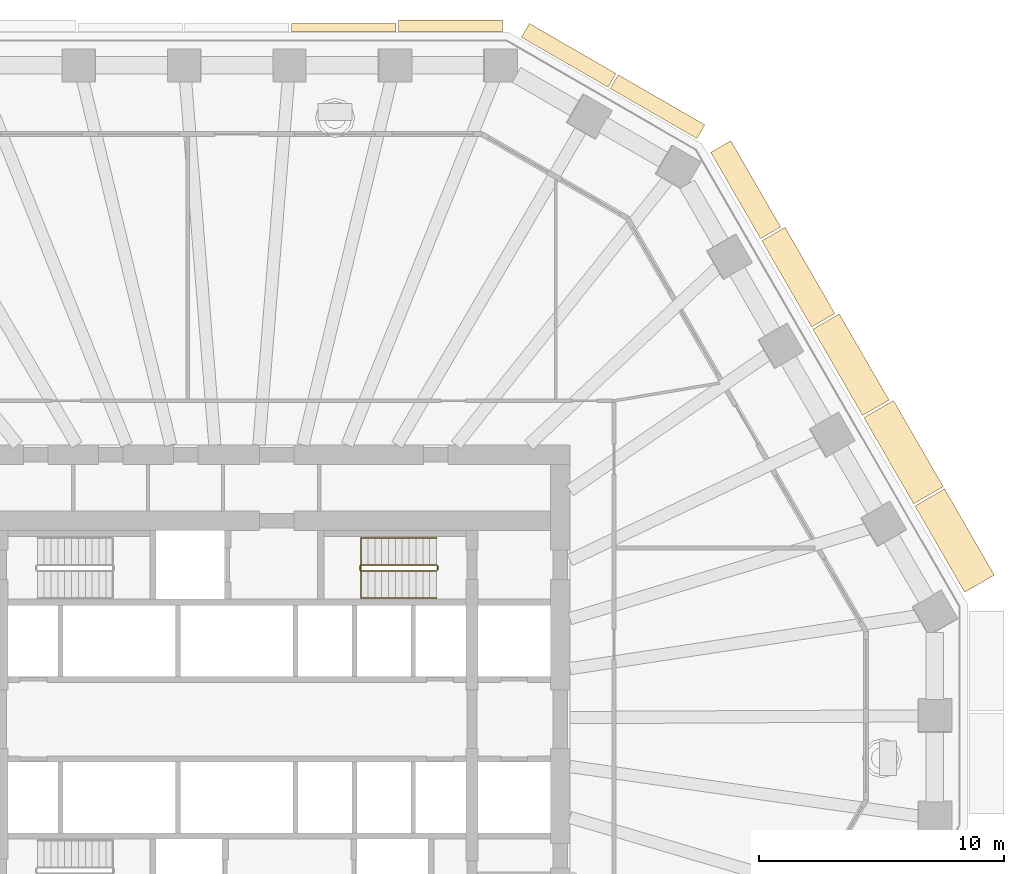
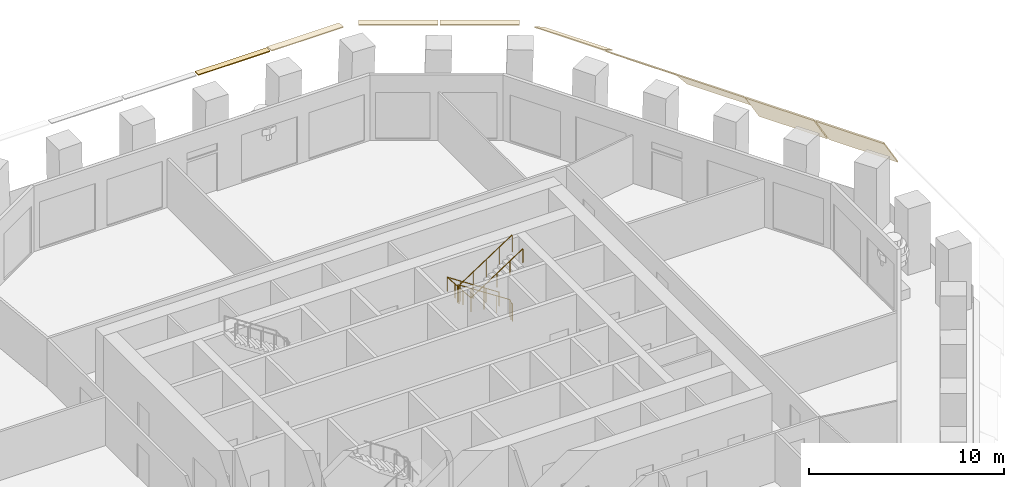
# One storey, part 10 of 12: 9 coverings, 2 railings.
"""IFC4 building model written with IfcOpenShell, lengths in metres."""

import ifcopenshell
import ifcopenshell.guid

model = None  # the IFC model being written
_history = None  # IfcOwnerHistory: only IFC2X3 demands one
_inside = {}  # id of a spatial element -> (the spatial element, [elements in it])
_under = {}  # id of a project, library or spatial element -> (it, [spatial elements below it])
_declared = {}  # id of a project -> (the project, [libraries it declares])
_typed = {}  # id of a type object -> (the type object, [elements of that type])
_made_of = {}  # id of a material, layer set ... -> (it, [elements and type objects made of it])


def new_model(schema):
    """Start an empty IFC model of exactly this schema.

    Asked for "IFC4X3", IfcOpenShell would pick the latest addendum, in which some entities
    have other attributes; the version numbers below select the first issue.
    IFC2X3 requires an IfcOwnerHistory on every rooted entity: one is made here for all.
    """
    global model, _history
    if schema == "IFC4X3":
        model = ifcopenshell.file(schema_version=(4, 3, 0, 0))
    else:
        model = ifcopenshell.file(schema=schema)
    _inside.clear()
    _under.clear()
    _declared.clear()
    _typed.clear()
    _made_of.clear()
    _history = None
    if model.schema == "IFC2X3":
        org = make("IfcOrganization", Name="unknown")
        user = make(
            "IfcPersonAndOrganization",
            ThePerson=make("IfcPerson", FamilyName="unknown"),
            TheOrganization=org,
        )
        app = make(
            "IfcApplication",
            ApplicationDeveloper=org,
            Version="unknown",
            ApplicationFullName="unknown",
            ApplicationIdentifier="unknown",
        )
        _history = make(
            "IfcOwnerHistory",
            OwningUser=user,
            OwningApplication=app,
            ChangeAction="ADDED",
            CreationDate=0,
        )
    return model


def make(cls, **values):
    """One entity of the class cls with the attributes given. An attribute that is None is left unset."""
    return model.create_entity(
        cls, **{name: value for name, value in values.items() if value is not None}
    )


def rooted(cls, **values):
    """An entity with a GlobalId (a new one), such as an element, a storey or a relation."""
    return make(cls, GlobalId=ifcopenshell.guid.new(), OwnerHistory=_history, **values)


def si_unit(unit_type, name, prefix=None):
    """IfcSIUnit, for example si_unit("LENGTHUNIT", "METRE", prefix="MILLI")."""
    return make("IfcSIUnit", UnitType=unit_type, Prefix=prefix, Name=name)


def assignment(units):
    """IfcUnitAssignment: the units of a project."""
    return None if units is None else make("IfcUnitAssignment", Units=units)


def point(xyz):
    """IfcCartesianPoint."""
    return None if xyz is None else make("IfcCartesianPoint", Coordinates=xyz)


def direction(xyz):
    """IfcDirection."""
    return None if xyz is None else make("IfcDirection", DirectionRatios=xyz)


def frame(location, z_axis=None, x_axis=None):
    """IfcAxis2Placement3D, a coordinate frame: its origin and axes. An axis left out is left unset."""
    return make(
        "IfcAxis2Placement3D",
        Location=point(location),
        Axis=direction(z_axis),
        RefDirection=direction(x_axis),
    )


def frame_2d(location, x_axis=None):
    """IfcAxis2Placement2D, a coordinate frame in the plane: its origin and x axis."""
    return make(
        "IfcAxis2Placement2D", Location=point(location), RefDirection=direction(x_axis)
    )


def origin():
    """The frame at (0, 0, 0) with its axes left unset."""
    return frame((0.0, 0.0, 0.0))


def origin_2d():
    """The frame at (0, 0) in the plane with its x axis left unset."""
    return frame_2d((0.0, 0.0))


def place(relative_to, where):
    """IfcLocalPlacement: puts the frame where relative to a parent placement (None: the world)."""
    return make(
        "IfcLocalPlacement", PlacementRelTo=relative_to, RelativePlacement=where
    )


def context(
    kind, dimensions, precision=None, world=None, true_north=None, identifier=None
):
    """IfcGeometricRepresentationContext, for example the 3D "Model" context."""
    return make(
        "IfcGeometricRepresentationContext",
        ContextIdentifier=identifier,
        ContextType=kind,
        CoordinateSpaceDimension=dimensions,
        Precision=precision,
        WorldCoordinateSystem=world,
        TrueNorth=true_north,
    )


def subcontext(parent, identifier, kind, view, scale=None):
    """IfcGeometricRepresentationSubContext, for example "Body" below "Model"."""
    return make(
        "IfcGeometricRepresentationSubContext",
        ContextIdentifier=identifier,
        ContextType=kind,
        ParentContext=parent,
        TargetScale=scale,
        TargetView=view,
    )


def project(units=None, contexts=None):
    """IfcProject with its units and contexts."""
    return rooted(
        "IfcProject",
        Name="project",
        RepresentationContexts=contexts,
        UnitsInContext=assignment(units),
    )


def spatial(cls, under=None, at=None, **own):
    """A site, building, storey or space (cls), placed at a placement, below another one or the project."""
    s = rooted(cls, ObjectPlacement=at, **own)
    if under is not None:
        _under.setdefault(under.id(), (under, []))[1].append(s)
    return s


def polyline(points):
    """IfcPolyline through the points."""
    return make("IfcPolyline", Points=[point(p) for p in points])


def profile(cls, at=None, kind="AREA", **sizes):
    """A parametric profile (cls). Its sizes go by their IFC names, for example OverallWidth=200.0."""
    return make(cls, ProfileType=kind, Position=at, **sizes)


def circle(**sizes):
    """IfcCircleProfileDef."""
    return profile("IfcCircleProfileDef", **sizes)


def outline(outer, holes=None, kind="AREA"):
    """IfcArbitraryClosedProfileDef: a profile drawn as a closed curve; with holes, ...WithVoids."""
    if holes is None:
        return make("IfcArbitraryClosedProfileDef", ProfileType=kind, OuterCurve=outer)
    return make(
        "IfcArbitraryProfileDefWithVoids",
        ProfileType=kind,
        OuterCurve=outer,
        InnerCurves=holes,
    )


def extrude(swept, where, along, depth):
    """IfcExtrudedAreaSolid: the profile swept, set in the frame where, extruded along a direction by depth."""
    return make(
        "IfcExtrudedAreaSolid",
        SweptArea=swept,
        Position=where,
        ExtrudedDirection=direction(along),
        Depth=depth,
    )


def shape(context_of_items, identifier, shape_type, items):
    """IfcShapeRepresentation: the items that make up one representation, for example the "Body"."""
    return make(
        "IfcShapeRepresentation",
        ContextOfItems=context_of_items,
        RepresentationIdentifier=identifier,
        RepresentationType=shape_type,
        Items=items,
    )


def material(Name=None, Category=None):
    """IfcMaterial."""
    return make("IfcMaterial", Name=Name, Category=Category)


def layer(
    of_material, thickness, ventilated=None, Name=None, Category=None, Priority=None
):
    """IfcMaterialLayer: one layer of a wall or slab, of a material (None: an air gap)."""
    return make(
        "IfcMaterialLayer",
        Material=of_material,
        LayerThickness=thickness,
        IsVentilated=ventilated,
        Name=Name,
        Category=Category,
        Priority=Priority,
    )


def layer_set(layers, Name=None):
    """IfcMaterialLayerSet."""
    return make("IfcMaterialLayerSet", MaterialLayers=layers, LayerSetName=Name)


def made_of(thing, what):
    """Note that an element or type object is made of a material, layer set ...; save() writes the relation."""
    if what is not None:
        _made_of.setdefault(what.id(), (what, []))[1].append(thing)
    return thing


def type_object(cls, material=None, **own):
    """A type object (cls), such as IfcWallType, which elements share."""
    return made_of(rooted(cls, **own), material)


def element(
    cls,
    number,
    at=None,
    inside=None,
    cuts=None,
    type_object=None,
    material=None,
    context=None,
    identifier="Body",
    shape_type=None,
    held_by="IfcProductDefinitionShape",
    body=None,
    shapes=None,
    **own,
):
    """One element of the class cls, such as IfcWall. Its Tag is "e" and its number.

    at: its placement. inside: the storey or other place that contains it. cuts: it is an
    opening in that element (IfcRelVoidsElement). A single representation is given by context,
    identifier, shape_type and body (its items); several are given by shapes. held_by: the class
    of the entity that holds the representations. save() writes the other relations.
    """
    e = rooted(cls, Tag="e%d" % number, ObjectPlacement=at, **own)
    if body is not None:
        shapes = [shape(context, identifier, shape_type, body)]
    if shapes is not None:
        e.Representation = make(held_by, Representations=shapes)
    if inside is not None:
        _inside.setdefault(inside.id(), (inside, []))[1].append(e)
    if cuts is not None:
        rooted(
            "IfcRelVoidsElement", RelatingBuildingElement=cuts, RelatedOpeningElement=e
        )
    if type_object is not None:
        _typed.setdefault(type_object.id(), (type_object, []))[1].append(e)
    return made_of(e, material)


def aggregate(whole, parts):
    """IfcRelAggregates: a whole, such as a stair, and the parts it consists of."""
    return rooted("IfcRelAggregates", RelatingObject=whole, RelatedObjects=parts)


def save(model, path):
    """Write the relations noted so far, then the file.

    IfcRelAggregates (storeys below a building ...), IfcRelContainedInSpatialStructure (elements
    in a storey), IfcRelDefinesByType, IfcRelAssociatesMaterial and IfcRelDeclares: one each for
    every whole, place, type object, material and project.
    """
    for whole, parts in _under.values():
        aggregate(whole, parts)
    for where, things in _inside.values():
        rooted(
            "IfcRelContainedInSpatialStructure",
            RelatedElements=things,
            RelatingStructure=where,
        )
    for kind, things in _typed.values():
        rooted("IfcRelDefinesByType", RelatedObjects=things, RelatingType=kind)
    for what, things in _made_of.values():
        rooted("IfcRelAssociatesMaterial", RelatedObjects=things, RelatingMaterial=what)
    for by, libraries in _declared.values():
        rooted("IfcRelDeclares", RelatingContext=by, RelatedDefinitions=libraries)
    model.write(path)


model = new_model("IFC4")

# Units and contexts
model_context = context("Model", 3, precision=1e-05, world=origin(), true_north=direction((0.0, 1.0)))
body_context = subcontext(model_context, "Body", "Model", "MODEL_VIEW")
ifc_project = project(units=[si_unit("LENGTHUNIT", "METRE"), si_unit("AREAUNIT", "SQUARE_METRE"), si_unit("VOLUMEUNIT", "CUBIC_METRE"), si_unit("PLANEANGLEUNIT", "RADIAN"), si_unit("MASSUNIT", "GRAM", prefix="KILO")], contexts=[model_context])

# Site, building, storey
site_placement = place(None, origin())
site = spatial("IfcSite", under=ifc_project, at=site_placement, CompositionType="ELEMENT")
building_placement = place(site_placement, origin())
building = spatial("IfcBuilding", under=site, at=building_placement, Name="Frailejon Research Tower", CompositionType="ELEMENT")
storey_placement = place(building_placement, frame((0.0, 0.0, 85.199951171875)))
storey = spatial("IfcBuildingStorey", under=building, at=storey_placement, Name="L18", CompositionType="ELEMENT", Elevation=85.199951171875)

# Coverings
ifc_material_1 = material(Name="Precast concrete C50/60", Category="concrete")
ifc_layer_1 = layer(ifc_material_1, 0.06005859375)
ifc_layer_set_1 = layer_set([ifc_layer_1], Name="Brim blade depth 1100")
covering_type_1 = type_object("IfcCoveringType", Name="Brim blade depth 1100", PredefinedType="CLADDING", material=ifc_layer_set_1)
covering_1_placement = place(storey_placement, frame((21.430419921875, 19.534423828125, 4.25), z_axis=(0.500006969834, -0.866021379712, 0.0), x_axis=(0.866021379712, 0.500006969834, 0.0)))
element("IfcCovering", 1, at=covering_1_placement, inside=storey, type_object=covering_type_1, Name="Brim blade L18", PredefinedType="CLADDING", context=body_context, shape_type="SweptSolid", body=[
    extrude(outline(polyline([(0.0, -0.078369140625), (1.10009765625, -1.001220703125), (1.10009765625, -0.923095703125), (0.0, 0.0), (0.0, -0.078369140625)])), origin(), (0.0, 0.0, 1.0), 4.068115234375),
])
ifc_material_2 = material(Name="Precast concrete C50/60", Category="concrete")
ifc_layer_2 = layer(ifc_material_2, 0.06005859375)
ifc_layer_set_2 = layer_set([ifc_layer_2], Name="Brim blade depth 1250")
covering_type_2 = type_object("IfcCoveringType", Name="Brim blade depth 1250", PredefinedType="CLADDING", material=ifc_layer_set_2)
covering_2_placement = place(storey_placement, frame((23.514404296875, 15.9248046875, 4.25), z_axis=(0.49998897574, -0.86603176855, 0.0), x_axis=(0.86603176855, 0.49998897574, 0.0)))
element("IfcCovering", 2, at=covering_2_placement, inside=storey, type_object=covering_type_2, Name="Brim blade L18", PredefinedType="CLADDING", context=body_context, shape_type="SweptSolid", body=[
    extrude(outline(polyline([(0.0, -0.0888671875), (1.25, -1.452880859375), (1.25, -1.364013671875), (0.0, 0.0), (0.0, -0.0888671875)])), origin(), (0.0, 0.0, 1.0), 4.068115234375),
])
ifc_material_3 = material(Name="Precast concrete C50/60", Category="concrete")
ifc_layer_3 = layer(ifc_material_3, 0.06005859375)
ifc_layer_set_3 = layer_set([ifc_layer_3], Name="Brim blade depth 1400")
covering_type_3 = type_object("IfcCoveringType", Name="Brim blade depth 1400", PredefinedType="CLADDING", material=ifc_layer_set_3)
for number, where, z_axis, x_axis, name in (
    (3, (27.6826171875, 8.70556640625, 4.25), (0.500006969834, -0.866021379712, 0.0), (0.866021379712, 0.500006969834, 0.0), "Brim blade L18"),
    (4, (25.598388671875, 12.315185546875, 4.25), (0.499999364741, -0.866025770551, 0.0), (0.866025770551, 0.499999364741, 0.0), "Brim blade L18"),
):
    element("IfcCovering", number, at=place(storey_placement, frame(where, z_axis=z_axis, x_axis=x_axis)), inside=storey, type_object=covering_type_3, Name=name, PredefinedType="CLADDING", context=body_context, shape_type="SweptSolid", body=[
        extrude(outline(polyline([(0.0, -0.1044921875), (1.39990234375, -2.10400390625), (1.39990234375, -1.99951171875), (0.0, 0.0), (0.0, -0.1044921875)])), origin(), (0.0, 0.0, 1.0), 4.068115234375),
    ])
ifc_material_4 = material(Name="Precast concrete C50/60", Category="concrete")
ifc_layer_4 = layer(ifc_material_4, 0.06005859375)
ifc_layer_set_4 = layer_set([ifc_layer_4], Name="Brim blade depth 350")
covering_type_4 = type_object("IfcCoveringType", Name="Brim blade depth 350", PredefinedType="CLADDING", material=ifc_layer_set_4)
covering_3_placement = place(storey_placement, frame((2.229736328125, 28.050048828125, 4.25), z_axis=(1.0, 0.0, 0.0), x_axis=(0.0, 1.0, 0.0)))
element("IfcCovering", 5, at=covering_3_placement, inside=storey, type_object=covering_type_4, Name="Brim blade L18", PredefinedType="CLADDING", context=body_context, shape_type="SweptSolid", body=[
    extrude(outline(polyline([(0.0, -0.06005859375), (0.35009765625, -0.06005859375), (0.35009765625, 0.0), (0.0, 0.0), (0.0, -0.06005859375)])), origin(), (0.0, 0.0, 1.0), 4.259765625),
])
ifc_material_5 = material(Name="Precast concrete C50/60", Category="concrete")
ifc_layer_5 = layer(ifc_material_5, 0.06005859375)
ifc_layer_set_5 = layer_set([ifc_layer_5], Name="Brim blade depth 500")
covering_type_5 = type_object("IfcCoveringType", Name="Brim blade depth 500", PredefinedType="CLADDING", material=ifc_layer_set_5)
covering_4_placement = place(storey_placement, frame((6.589599609375, 28.050048828125, 4.25), z_axis=(1.0, 0.0, 0.0), x_axis=(0.0, 1.0, 0.0)))
element("IfcCovering", 6, at=covering_4_placement, inside=storey, type_object=covering_type_5, Name="Brim blade L18", PredefinedType="CLADDING", context=body_context, shape_type="SweptSolid", body=[
    extrude(outline(polyline([(0.0, -0.060546875), (0.5, -0.130859375), (0.5, -0.0703125), (0.0, 0.0), (0.0, -0.060546875)])), origin(), (0.0, 0.0, 1.0), 4.259765625),
])
ifc_material_6 = material(Name="Precast concrete C50/60", Category="concrete")
ifc_layer_6 = layer(ifc_material_6, 0.06005859375)
ifc_layer_set_6 = layer_set([ifc_layer_6], Name="Brim blade depth 650")
covering_type_6 = type_object("IfcCoveringType", Name="Brim blade depth 650", PredefinedType="CLADDING", material=ifc_layer_set_6)
covering_5_placement = place(storey_placement, frame((15.243896484375, 25.750244140625, 4.25), z_axis=(0.866027315287, -0.499996689166, 0.0), x_axis=(0.499996689166, 0.866027315287, 0.0)))
element("IfcCovering", 7, at=covering_5_placement, inside=storey, type_object=covering_type_6, Name="Brim blade L18", PredefinedType="CLADDING", context=body_context, shape_type="SweptSolid", body=[
    extrude(outline(polyline([(0.0, -0.0625), (0.64990234375, -0.248779296875), (0.64990234375, -0.186279296875), (0.0, 0.0), (0.0, -0.0625)])), origin(), (0.0, 0.0, 1.0), 4.087646484375),
])
covering_6_placement = place(storey_placement, frame((11.617431640625, 27.843994140625, 4.25), z_axis=(0.866021344981, -0.500007029989, 0.0), x_axis=(0.500007029989, 0.866021344981, 0.0)))
element("IfcCovering", 8, at=covering_6_placement, inside=storey, type_object=covering_type_6, Name="Brim blade L18", PredefinedType="CLADDING", context=body_context, shape_type="SweptSolid", body=[
    extrude(outline(polyline([(0.0, -0.0625), (0.64990234375, -0.248779296875), (0.64990234375, -0.186279296875), (0.0, 0.0), (0.0, -0.0625)])), origin(), (0.0, 0.0, 1.0), 4.08740234375),
])
ifc_material_7 = material(Name="Precast concrete C50/60", Category="concrete")
ifc_layer_7 = layer(ifc_material_7, 0.06005859375)
ifc_layer_set_7 = layer_set([ifc_layer_7], Name="Brim blade depth 950")
covering_type_7 = type_object("IfcCoveringType", Name="Brim blade depth 950", PredefinedType="CLADDING", material=ifc_layer_set_7)
covering_7_placement = place(storey_placement, frame((19.346435546875, 23.14404296875, 4.25), z_axis=(0.499999364741, -0.866025770551, 0.0), x_axis=(0.866025770551, 0.499999364741, 0.0)))
element("IfcCovering", 9, at=covering_7_placement, inside=storey, type_object=covering_type_7, Name="Brim blade L18", PredefinedType="CLADDING", context=body_context, shape_type="SweptSolid", body=[
    extrude(outline(polyline([(0.0, -0.07080078125), (0.949951171875, -0.664306640625), (0.949951171875, -0.593505859375), (0.0, 0.0), (0.0, -0.07080078125)])), origin(), (0.0, 0.0, 1.0), 4.068115234375),
])

# Railings
ifc_material_8 = material(Name="Stainless steel", Category="steel")
railing_type_1 = type_object("IfcRailingType", Name="Stair guard 1100", PredefinedType="GUARDRAIL", material=ifc_material_8)
railing_1_placement = place(storey_placement, frame((8.199951171875, 6.10009765625, 0.0)))
element("IfcRailing", 10, at=railing_1_placement, inside=storey, type_object=railing_type_1, Name="L18 ST3 stair guard 1", PredefinedType="GUARDRAIL", context=body_context, shape_type="SweptSolid", body=[
    extrude(circle(Radius=0.02392578125, at=origin_2d()), frame((0.0, 0.0, 1.076171875), z_axis=(0.0, 1.0, 0.0), x_axis=(-1.0, 0.0, 0.0)), (0.0, 0.0, 1.0), 0.14990234375),
    extrude(circle(Radius=0.02392578125, at=origin_2d()), frame((0.0, 0.14990234375, 1.076171875), z_axis=(-0.254653276557, 0.254653276557, 0.932900539971), x_axis=(-0.707106781187, -0.707106781187, 0.0)), (0.0, 0.0, 1.0), 0.196533203125),
    extrude(circle(Radius=0.02392578125, at=origin_2d()), frame((-0.050048828125, 0.199951171875, 1.25927734375), z_axis=(-0.836613101238, 0.0, 0.547794230379), x_axis=(0.0, -1.0, 0.0)), (0.0, 0.0, 1.0), 3.681396484375),
    extrude(circle(Radius=0.02392578125, at=origin_2d()), frame((-3.1298828125, 0.199951171875, 3.27587890625), z_axis=(-0.707106781187, -0.707106781187, 0.0), x_axis=(0.707106781187, -0.707106781187, 0.0)), (0.0, 0.0, 1.0), 0.07080078125),
    extrude(circle(Radius=0.02392578125, at=origin_2d()), frame((-3.179931640625, 0.14990234375, 3.27587890625), z_axis=(0.0, -1.0, 0.0), x_axis=(1.0, 0.0, 0.0)), (0.0, 0.0, 1.0), 0.14990234375),
    extrude(circle(Radius=0.02392578125, at=origin_2d()), frame((-3.179931640625, 0.0, 3.27587890625), z_axis=(0.254653276557, -0.254653276557, 0.932900539971), x_axis=(0.707106781187, 0.707106781187, 0.0)), (0.0, 0.0, 1.0), 0.196533203125),
    extrude(circle(Radius=0.02392578125, at=origin_2d()), frame((-3.1298828125, -0.050048828125, 3.45947265625), z_axis=(0.836582707638, 0.0, 0.547840645882), x_axis=(0.0, 1.0, 0.0)), (0.0, 0.0, 1.0), 3.681396484375),
    extrude(circle(Radius=0.02099609375, at=origin_2d()), origin(), (0.0, 0.0, 1.0), 1.052001953125),
    extrude(circle(Radius=0.02099609375, at=origin_2d()), frame((0.0, 0.14990234375, 0.0)), (0.0, 0.0, 1.0), 1.052001953125),
    extrude(circle(Radius=0.02099609375, at=origin_2d()), frame((-0.050048828125, 0.199951171875, 0.183349609375)), (0.0, 0.0, 1.0), 1.052001953125),
    extrude(circle(Radius=0.02099609375, at=origin_2d()), frame((-0.820068359375, 0.199951171875, 0.6875)), (0.0, 0.0, 1.0), 1.052001953125),
    extrude(circle(Radius=0.02099609375, at=origin_2d()), frame((-1.58984375, 0.199951171875, 1.191650390625)), (0.0, 0.0, 1.0), 1.052001953125),
    extrude(circle(Radius=0.02099609375, at=origin_2d()), frame((-2.35986328125, 0.199951171875, 1.69580078125)), (0.0, 0.0, 1.0), 1.052001953125),
    extrude(circle(Radius=0.02099609375, at=origin_2d()), frame((-3.1298828125, 0.199951171875, 2.199951171875)), (0.0, 0.0, 1.0), 1.052001953125),
    extrude(circle(Radius=0.02099609375, at=origin_2d()), frame((-3.179931640625, 0.14990234375, 2.199951171875)), (0.0, 0.0, 1.0), 1.052001953125),
    extrude(circle(Radius=0.02099609375, at=origin_2d()), frame((-3.179931640625, 0.0, 2.199951171875)), (0.0, 0.0, 1.0), 1.052001953125),
    extrude(circle(Radius=0.02099609375, at=origin_2d()), frame((-3.1298828125, -0.050048828125, 2.38330078125)), (0.0, 0.0, 1.0), 1.052001953125),
    extrude(circle(Radius=0.02099609375, at=origin_2d()), frame((-2.35986328125, -0.050048828125, 2.887451171875)), (0.0, 0.0, 1.0), 1.052001953125),
    extrude(circle(Radius=0.02099609375, at=origin_2d()), frame((-1.58984375, -0.050048828125, 3.3916015625)), (0.0, 0.0, 1.0), 1.052001953125),
    extrude(circle(Radius=0.02099609375, at=origin_2d()), frame((-0.820068359375, -0.050048828125, 3.89599609375)), (0.0, 0.0, 1.0), 1.052001953125),
    extrude(circle(Radius=0.02099609375, at=origin_2d()), frame((-0.050048828125, -0.050048828125, 4.400146484375)), (0.0, 0.0, 1.0), 1.052001953125),
])
ifc_material_9 = material(Name="Stainless steel", Category="steel")
railing_type_2 = type_object("IfcRailingType", Name="Stair handrail 900", PredefinedType="HANDRAIL", material=ifc_material_9)
railing_2_placement = place(storey_placement, frame((8.14990234375, 7.39990234375, 0.183349609375)))
element("IfcRailing", 11, at=railing_2_placement, inside=storey, type_object=railing_type_2, Name="L18 ST3 stair handrail 1", PredefinedType="HANDRAIL", context=body_context, shape_type="SweptSolid", body=[
    extrude(circle(Radius=0.02392578125, at=origin_2d()), frame((0.0, 0.0, 0.8759765625), z_axis=(-0.836613101238, 0.0, 0.547794230379), x_axis=(0.0, -1.0, 0.0)), (0.0, 0.0, 1.0), 3.681396484375),
    extrude(circle(Radius=0.02392578125, at=origin_2d()), frame((-3.079833984375, 0.0, 2.892578125), z_axis=(0.0, -0.99721134034, 0.074629368868), x_axis=(1.0, 0.0, 0.0)), (0.0, 0.0, 1.0), 2.456787109375),
    extrude(circle(Radius=0.02392578125, at=origin_2d()), frame((-3.079833984375, -2.449951171875, 3.07568359375), z_axis=(0.836582707638, 0.0, 0.547840645882), x_axis=(0.0, 1.0, 0.0)), (0.0, 0.0, 1.0), 3.681396484375),
    extrude(circle(Radius=0.02099609375, at=origin_2d()), origin(), (0.0, 0.0, 1.0), 0.851806640625),
    extrude(circle(Radius=0.02099609375, at=origin_2d()), frame((-0.77001953125, 0.0, 0.504150390625)), (0.0, 0.0, 1.0), 0.851806640625),
    extrude(circle(Radius=0.02099609375, at=origin_2d()), frame((-1.5400390625, 0.0, 1.00830078125)), (0.0, 0.0, 1.0), 0.851806640625),
    extrude(circle(Radius=0.02099609375, at=origin_2d()), frame((-2.309814453125, 0.0, 1.512451171875)), (0.0, 0.0, 1.0), 0.851806640625),
    extrude(circle(Radius=0.02099609375, at=origin_2d()), frame((-3.079833984375, 0.0, 2.0166015625)), (0.0, 0.0, 1.0), 0.851806640625),
    extrude(circle(Radius=0.02099609375, at=origin_2d()), frame((-3.079833984375, -0.816650390625, 2.07763671875)), (0.0, 0.0, 1.0), 0.851806640625),
    extrude(circle(Radius=0.02099609375, at=origin_2d()), frame((-3.079833984375, -1.63330078125, 2.138916015625)), (0.0, 0.0, 1.0), 0.851806640625),
    extrude(circle(Radius=0.02099609375, at=origin_2d()), frame((-3.079833984375, -2.449951171875, 2.199951171875)), (0.0, 0.0, 1.0), 0.851806640625),
    extrude(circle(Radius=0.02099609375, at=origin_2d()), frame((-2.309814453125, -2.449951171875, 2.7041015625)), (0.0, 0.0, 1.0), 0.851806640625),
    extrude(circle(Radius=0.02099609375, at=origin_2d()), frame((-1.5400390625, -2.449951171875, 3.20849609375)), (0.0, 0.0, 1.0), 0.851806640625),
    extrude(circle(Radius=0.02099609375, at=origin_2d()), frame((-0.77001953125, -2.449951171875, 3.712646484375)), (0.0, 0.0, 1.0), 0.851806640625),
    extrude(circle(Radius=0.02099609375, at=origin_2d()), frame((0.0, -2.449951171875, 4.216796875)), (0.0, 0.0, 1.0), 0.851806640625),
])

save(model, "model.ifc")
